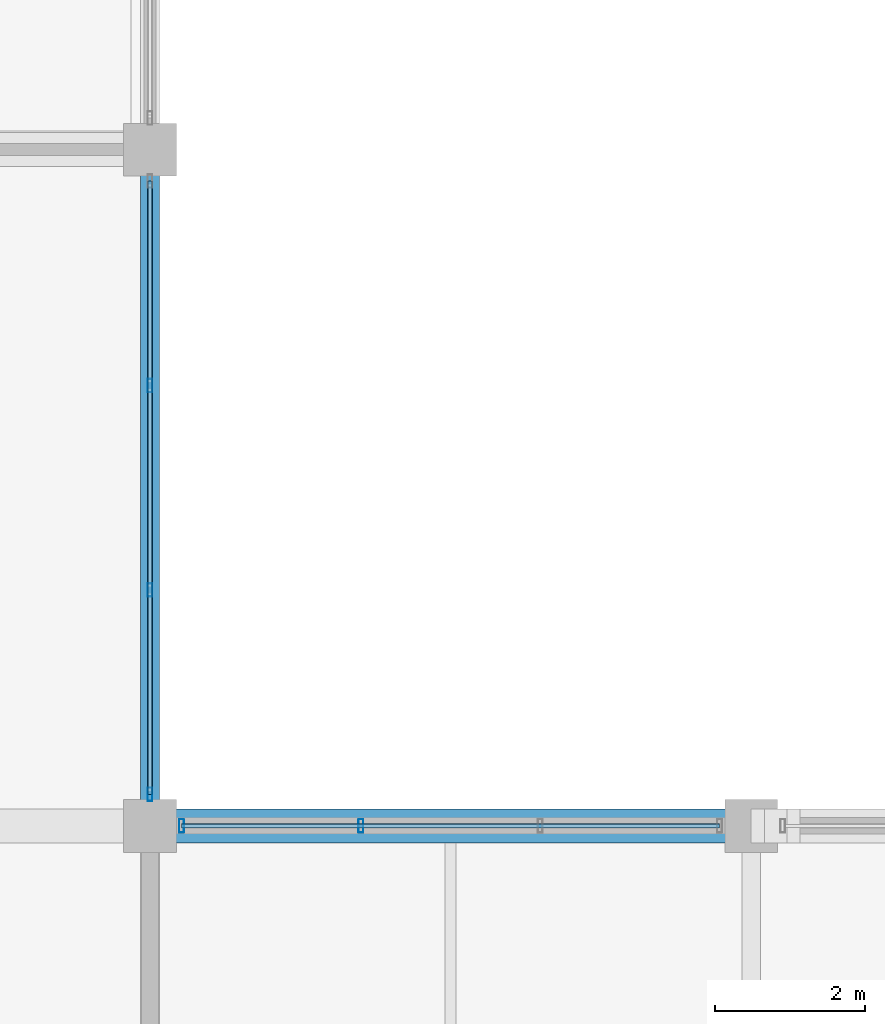
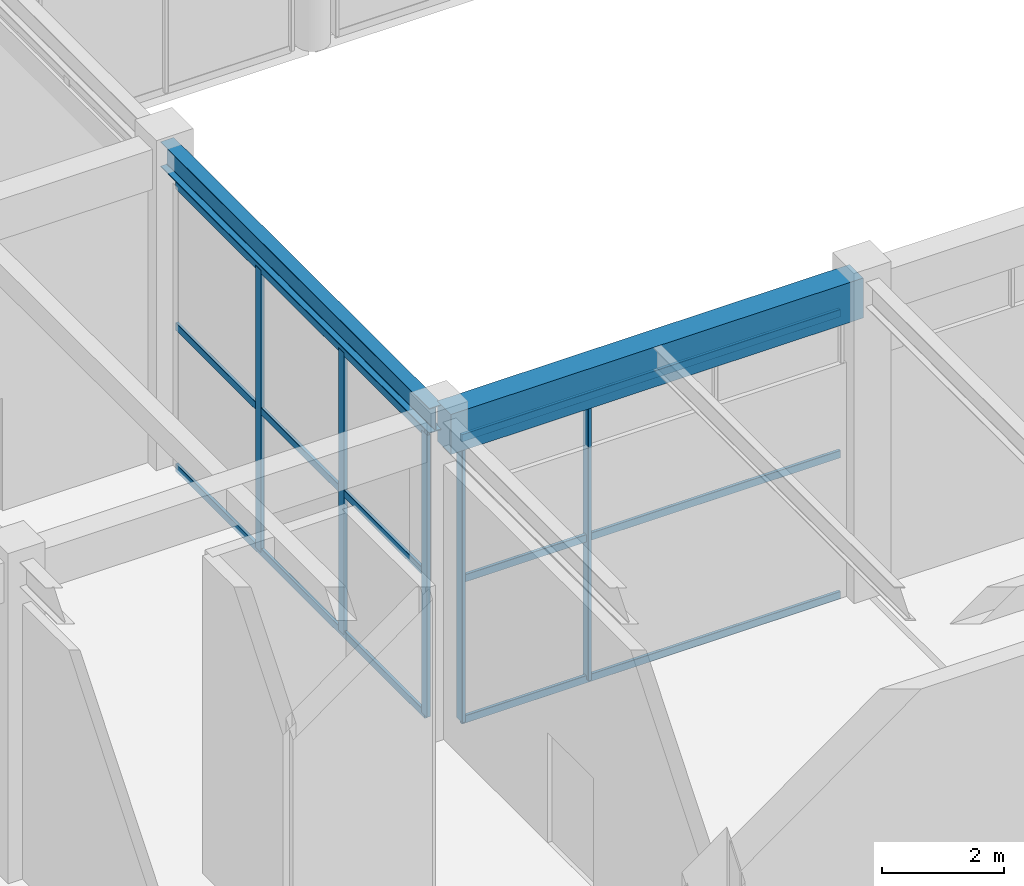
# One storey, part 30 of 163: 11 members, 2 beams, 2 elements without a shape of their own.
"""IFC4 building model written with IfcOpenShell, lengths in metres."""

from ifc_helpers import new_model, si_unit, direction, frame, origin, origin_2d, place, context, subcontext, project, spatial, rectangle, hollow_rectangle, i_section, extrude, material, material_profile, profile_set, type_object, element, aggregate, save


model = new_model("IFC4")

# Units and contexts
model_context = context("Model", 3, precision=1e-05, world=origin(), true_north=direction((0.0, 1.0)))
body_context = subcontext(model_context, "Body", "Model", "MODEL_VIEW")
ifc_project = project(units=[si_unit("LENGTHUNIT", "METRE"), si_unit("AREAUNIT", "SQUARE_METRE"), si_unit("VOLUMEUNIT", "CUBIC_METRE"), si_unit("PLANEANGLEUNIT", "RADIAN"), si_unit("MASSUNIT", "GRAM", prefix="KILO")], contexts=[model_context])

# Site, building, storey
site_placement = place(None, origin())
site = spatial("IfcSite", under=ifc_project, at=site_placement, CompositionType="ELEMENT")
building_placement = place(site_placement, origin())
building = spatial("IfcBuilding", under=site, at=building_placement, Name="Varnabhumi Central Station", CompositionType="ELEMENT")
storey_placement = place(building_placement, frame((0.0, 0.0, 9.60009765625)))
storey = spatial("IfcBuildingStorey", under=building, at=storey_placement, Name="L02", CompositionType="ELEMENT", Elevation=9.60009765625)

# Beams
ifc_material_1 = material(Name="Concrete M40", Category="concrete")
ifc_material_profile_1 = material_profile(ifc_material_1, rectangle(XDim=0.449951171875, YDim=0.800048828125, at=origin_2d()), Name="Concrete M40", Category="concrete")
ifc_profile_set_1 = profile_set([ifc_material_profile_1], Name="Concrete M40")
beam_type_1 = type_object("IfcBeamType", Name="BM-RC-450x800", PredefinedType="BEAM", material=ifc_profile_set_1)
beam_1_placement = place(storey_placement, frame((112.10009765625, 9.0, 5.949951171875), z_axis=(1.0, 0.0, 0.0), x_axis=(0.0, 1.0, 0.0)))
element("IfcBeam", 1, at=beam_1_placement, inside=storey, type_object=beam_type_1, Name="Beam L02-B:15-16", PredefinedType="BEAM", context=body_context, shape_type="SweptSolid", body=[
    extrude(rectangle(XDim=0.449951171875, YDim=0.800048828125, at=origin_2d()), origin(), (0.0, 0.0, 1.0), 7.7998046875),
])
ifc_material_2 = material(Name="Structural steel E350", Category="steel")
ifc_material_profile_2 = material_profile(ifc_material_2, i_section(OverallWidth=0.25, OverallDepth=0.5, WebThickness=0.010009765625, FlangeThickness=0.0146484375, FilletRadius=0.014892578125, at=origin_2d()), Name="Structural steel E350", Category="steel")
ifc_profile_set_2 = profile_set([ifc_material_profile_2], Name="Structural steel E350")
beam_type_2 = type_object("IfcBeamType", Name="BM-SEC-ISWB500", PredefinedType="BEAM", material=ifc_profile_set_2)
beam_2_placement = place(storey_placement, frame((112.0, 9.10009765625, 6.099853515625), z_axis=(0.0, 1.0, 0.0), x_axis=(-1.0, 0.0, 0.0)))
element("IfcBeam", 2, at=beam_2_placement, inside=storey, type_object=beam_type_2, Name="Beam L02-15:B-C", PredefinedType="BEAM", context=body_context, shape_type="SweptSolid", body=[
    extrude(i_section(OverallWidth=0.25, OverallDepth=0.5, WebThickness=0.010009765625, FlangeThickness=0.0146484375, FilletRadius=0.014892578125, at=origin_2d()), origin(), (0.0, 0.0, 1.0), 8.7998046875),
])

# Curtain wall, members
ifc_material_3 = material(Name="Anodised aluminium 6063-T6", Category="aluminium")
curtain_wall_type = type_object("IfcCurtainWallType", Name="CW-PATIO-LOGGIA-L2", PredefinedType="NOTDEFINED", material=ifc_material_3)
curtain_wall_1_placement = place(storey_placement, origin())
curtain_wall_1 = element("IfcCurtainWall", 3, at=curtain_wall_1_placement, inside=storey, type_object=curtain_wall_type, Name="Curtain Wall CW-SP2E1", PredefinedType="NOTDEFINED")
ifc_material_profile_3 = material_profile(ifc_material_3, hollow_rectangle(XDim=0.06494140625, YDim=0.179931640625, WallThickness=0.00390625, InnerFilletRadius=0.001953125, OuterFilletRadius=0.006103515625, at=origin_2d()), Name="Anodised aluminium 6063-T6", Category="aluminium")
ifc_profile_set_3 = profile_set([ifc_material_profile_3], Name="Anodised aluminium 6063-T6")
member_type_1 = type_object("IfcMemberType", Name="CW-MUL-180", PredefinedType="MULLION", material=ifc_profile_set_3)
member_1_placement = place(storey_placement, frame((112.0, 9.419921875, 0.0), z_axis=(0.0, 0.0, 1.0), x_axis=(1.0, 0.0, 0.0)))
member_1 = element("IfcMember", 4, at=member_1_placement, type_object=member_type_1, Name="Curtain Wall Mullion CW-SP2E1-M1", PredefinedType="MULLION", context=body_context, shape_type="SweptSolid", body=[
    extrude(hollow_rectangle(XDim=0.06494140625, YDim=0.179931640625, WallThickness=0.00390625, InnerFilletRadius=0.001953125, OuterFilletRadius=0.006103515625, at=origin_2d()), origin(), (0.0, 0.0, 1.0), 5.639892578125),
])
member_2_placement = place(storey_placement, frame((112.0, 12.139892578125, 0.0), z_axis=(0.0, 0.0, 1.0), x_axis=(1.0, 0.0, 0.0)))
member_2 = element("IfcMember", 5, at=member_2_placement, type_object=member_type_1, Name="Curtain Wall Mullion CW-SP2E1-M2", PredefinedType="MULLION", context=body_context, shape_type="SweptSolid", body=[
    extrude(hollow_rectangle(XDim=0.06494140625, YDim=0.179931640625, WallThickness=0.00390625, InnerFilletRadius=0.001953125, OuterFilletRadius=0.006103515625, at=origin_2d()), origin(), (0.0, 0.0, 1.0), 5.639892578125),
])
member_3_placement = place(storey_placement, frame((112.0, 14.860107421875, 0.0), z_axis=(0.0, 0.0, 1.0), x_axis=(1.0, 0.0, 0.0)))
member_3 = element("IfcMember", 6, at=member_3_placement, type_object=member_type_1, Name="Curtain Wall Mullion CW-SP2E1-M3", PredefinedType="MULLION", context=body_context, shape_type="SweptSolid", body=[
    extrude(hollow_rectangle(XDim=0.06494140625, YDim=0.179931640625, WallThickness=0.00390625, InnerFilletRadius=0.001953125, OuterFilletRadius=0.006103515625, at=origin_2d()), origin(), (0.0, 0.0, 1.0), 5.639892578125),
])

curtain_wall_2_placement = place(storey_placement, origin())
curtain_wall_2 = element("IfcCurtainWall", 7, at=curtain_wall_2_placement, inside=storey, type_object=curtain_wall_type, Name="Curtain Wall CW-SP2S1", PredefinedType="NOTDEFINED")
member_4_placement = place(storey_placement, frame((112.419921875, 9.0, 0.0), z_axis=(0.0, 0.0, 1.0), x_axis=(1.0, 0.0, 0.0)))
member_4 = element("IfcMember", 8, at=member_4_placement, type_object=member_type_1, Name="Curtain Wall Mullion CW-SP2S1-M1", PredefinedType="MULLION", context=body_context, shape_type="SweptSolid", body=[
    extrude(hollow_rectangle(XDim=0.06494140625, YDim=0.179931640625, WallThickness=0.00390625, InnerFilletRadius=0.001953125, OuterFilletRadius=0.006103515625, at=origin_2d()), origin(), (0.0, 0.0, 1.0), 5.639892578125),
])
member_5_placement = place(storey_placement, frame((114.806640625, 9.0, 0.0), z_axis=(0.0, 0.0, 1.0), x_axis=(1.0, 0.0, 0.0)))
member_5 = element("IfcMember", 9, at=member_5_placement, type_object=member_type_1, Name="Curtain Wall Mullion CW-SP2S1-M2", PredefinedType="MULLION", context=body_context, shape_type="SweptSolid", body=[
    extrude(hollow_rectangle(XDim=0.06494140625, YDim=0.179931640625, WallThickness=0.00390625, InnerFilletRadius=0.001953125, OuterFilletRadius=0.006103515625, at=origin_2d()), origin(), (0.0, 0.0, 1.0), 5.639892578125),
])

# Member
ifc_material_profile_4 = material_profile(ifc_material_3, hollow_rectangle(XDim=0.06005859375, YDim=0.14990234375, WallThickness=0.00390625, InnerFilletRadius=0.001953125, OuterFilletRadius=0.006103515625, at=origin_2d()), Name="Anodised aluminium 6063-T6", Category="aluminium")
ifc_profile_set_4 = profile_set([ifc_material_profile_4], Name="Anodised aluminium 6063-T6")
member_type_2 = type_object("IfcMemberType", Name="CW-TR-150", PredefinedType="USERDEFINED", material=ifc_profile_set_4)
member_6_placement = place(storey_placement, frame((112.0, 9.419921875, 0.0), z_axis=(0.0, 1.0, 0.0), x_axis=(-1.0, 0.0, 0.0)))
member_6 = element("IfcMember", 10, at=member_6_placement, type_object=member_type_2, Name="Curtain Wall Transom CW-SP2E1-T1", ObjectType="TRANSOM", PredefinedType="USERDEFINED", context=body_context, shape_type="SweptSolid", body=[
    extrude(hollow_rectangle(XDim=0.06005859375, YDim=0.14990234375, WallThickness=0.00390625, InnerFilletRadius=0.001953125, OuterFilletRadius=0.006103515625, at=origin_2d()), origin(), (0.0, 0.0, 1.0), 8.16015625),
])

member_7_placement = place(storey_placement, frame((112.0, 9.419921875, 2.81982421875), z_axis=(0.0, 1.0, 0.0), x_axis=(-1.0, 0.0, 0.0)))
member_7 = element("IfcMember", 11, at=member_7_placement, type_object=member_type_2, Name="Curtain Wall Transom CW-SP2E1-T2", ObjectType="TRANSOM", PredefinedType="USERDEFINED", context=body_context, shape_type="SweptSolid", body=[
    extrude(hollow_rectangle(XDim=0.06005859375, YDim=0.14990234375, WallThickness=0.00390625, InnerFilletRadius=0.001953125, OuterFilletRadius=0.006103515625, at=origin_2d()), origin(), (0.0, 0.0, 1.0), 8.16015625),
])

member_8_placement = place(storey_placement, frame((112.0, 9.419921875, 5.639892578125), z_axis=(0.0, 1.0, 0.0), x_axis=(-1.0, 0.0, 0.0)))
member_8 = element("IfcMember", 12, at=member_8_placement, type_object=member_type_2, Name="Curtain Wall Transom CW-SP2E1-T3", ObjectType="TRANSOM", PredefinedType="USERDEFINED", context=body_context, shape_type="SweptSolid", body=[
    extrude(hollow_rectangle(XDim=0.06005859375, YDim=0.14990234375, WallThickness=0.00390625, InnerFilletRadius=0.001953125, OuterFilletRadius=0.006103515625, at=origin_2d()), origin(), (0.0, 0.0, 1.0), 8.16015625),
])

aggregate(curtain_wall_1, [member_1, member_2, member_3, member_6, member_7, member_8])

member_9_placement = place(storey_placement, frame((112.419921875, 9.0, 0.0), z_axis=(1.0, 0.0, 0.0), x_axis=(0.0, 1.0, 0.0)))
member_9 = element("IfcMember", 13, at=member_9_placement, type_object=member_type_2, Name="Curtain Wall Transom CW-SP2S1-T1", ObjectType="TRANSOM", PredefinedType="USERDEFINED", context=body_context, shape_type="SweptSolid", body=[
    extrude(hollow_rectangle(XDim=0.06005859375, YDim=0.14990234375, WallThickness=0.00390625, InnerFilletRadius=0.001953125, OuterFilletRadius=0.006103515625, at=origin_2d()), origin(), (0.0, 0.0, 1.0), 7.16015625),
])

member_10_placement = place(storey_placement, frame((112.419921875, 9.0, 2.81982421875), z_axis=(1.0, 0.0, 0.0), x_axis=(0.0, 1.0, 0.0)))
member_10 = element("IfcMember", 14, at=member_10_placement, type_object=member_type_2, Name="Curtain Wall Transom CW-SP2S1-T2", ObjectType="TRANSOM", PredefinedType="USERDEFINED", context=body_context, shape_type="SweptSolid", body=[
    extrude(hollow_rectangle(XDim=0.06005859375, YDim=0.14990234375, WallThickness=0.00390625, InnerFilletRadius=0.001953125, OuterFilletRadius=0.006103515625, at=origin_2d()), origin(), (0.0, 0.0, 1.0), 7.16015625),
])

member_11_placement = place(storey_placement, frame((112.419921875, 9.0, 5.639892578125), z_axis=(1.0, 0.0, 0.0), x_axis=(0.0, 1.0, 0.0)))
member_11 = element("IfcMember", 15, at=member_11_placement, type_object=member_type_2, Name="Curtain Wall Transom CW-SP2S1-T3", ObjectType="TRANSOM", PredefinedType="USERDEFINED", context=body_context, shape_type="SweptSolid", body=[
    extrude(hollow_rectangle(XDim=0.06005859375, YDim=0.14990234375, WallThickness=0.00390625, InnerFilletRadius=0.001953125, OuterFilletRadius=0.006103515625, at=origin_2d()), origin(), (0.0, 0.0, 1.0), 7.16015625),
])

aggregate(curtain_wall_2, [member_4, member_5, member_9, member_10, member_11])

save(model, "model.ifc")
